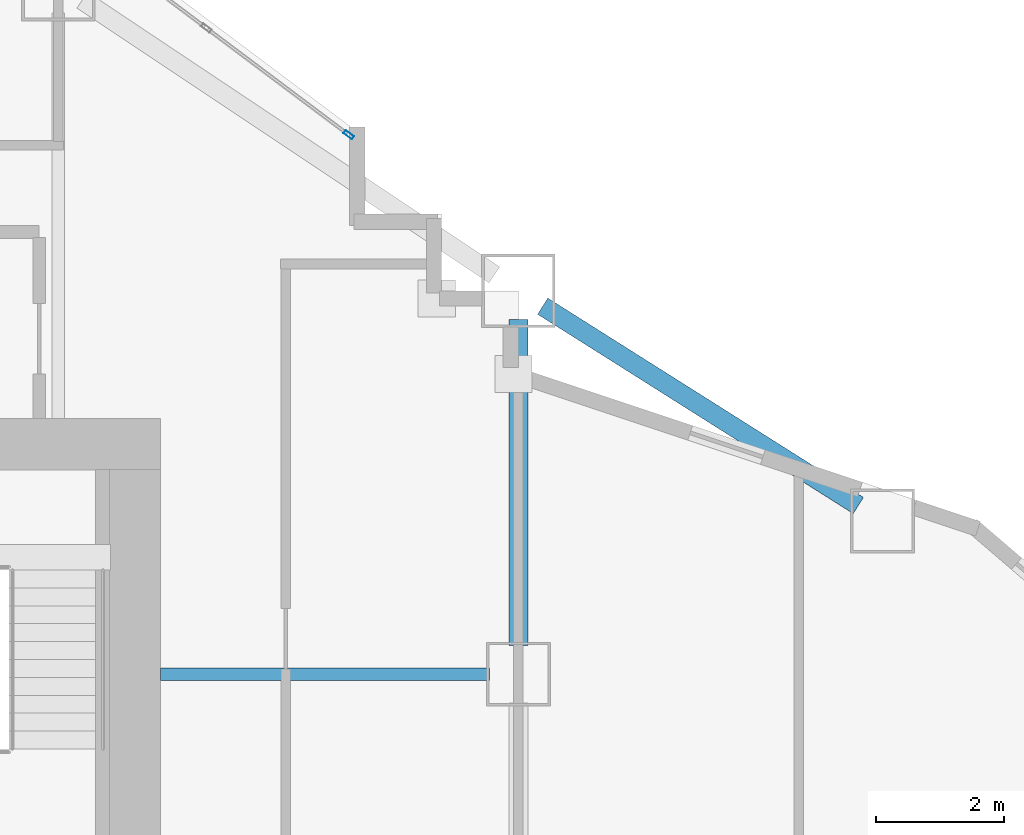
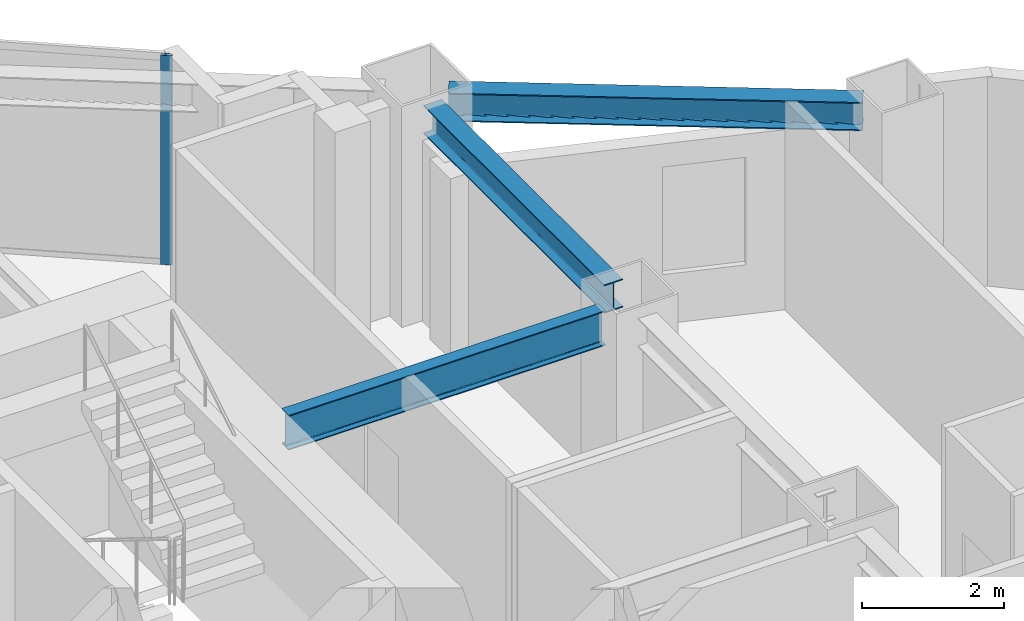
# One storey, part 5 of 16: 3 beams, 1 member, 1 element without a shape of its own.
"""IFC4 building model written with IfcOpenShell, lengths in metres."""

from ifc_helpers import new_model, si_unit, direction, frame, origin, origin_2d, place, context, subcontext, project, spatial, hollow_rectangle, i_section, extrude, material, layer, layer_set, material_profile, profile_set, type_object, element, aggregate, save


model = new_model("IFC4")

# Units and contexts
model_context = context("Model", 3, precision=1e-05, world=origin(), true_north=direction((0.0, 1.0)))
body_context = subcontext(model_context, "Body", "Model", "MODEL_VIEW")
ifc_project = project(units=[si_unit("LENGTHUNIT", "METRE"), si_unit("AREAUNIT", "SQUARE_METRE"), si_unit("VOLUMEUNIT", "CUBIC_METRE"), si_unit("PLANEANGLEUNIT", "RADIAN"), si_unit("MASSUNIT", "GRAM", prefix="KILO")], contexts=[model_context])

# Site, building, storey
site_placement = place(None, origin())
site = spatial("IfcSite", under=ifc_project, at=site_placement, CompositionType="ELEMENT")
building_placement = place(site_placement, origin())
building = spatial("IfcBuilding", under=site, at=building_placement, Name="Haolan Belvedere Tower", CompositionType="ELEMENT")
storey_placement = place(building_placement, frame((0.0, 0.0, 62.800048828125)))
storey = spatial("IfcBuildingStorey", under=building, at=storey_placement, Name="L15", CompositionType="ELEMENT", Elevation=62.800048828125)

# Beams
ifc_material_1 = material(Name="Steel Q355B", Category="steel")
ifc_material_profile_1 = material_profile(ifc_material_1, i_section(OverallWidth=0.300048828125, OverallDepth=0.488037109375, WebThickness=0.010986328125, FlangeThickness=0.01806640625, FilletRadius=0.02587890625, at=origin_2d()), Name="Steel Q355B")
ifc_profile_set_1 = profile_set([ifc_material_profile_1], Name="Steel Q355B")
beam_type_1 = type_object("IfcBeamType", Name="BM-HM488x300x11x18", PredefinedType="SPANDREL", material=ifc_profile_set_1)
beam_1_placement = place(storey_placement, frame((52.800048828125, 40.050048828125, 3.35595703125), z_axis=(0.0, 1.0, 0.0), x_axis=(-1.0, 0.0, 0.0)))
element("IfcBeam", 1, at=beam_1_placement, inside=storey, type_object=beam_type_1, Name="L15 spandrel girder TC-T3-E2-MC-T3-NE", PredefinedType="SPANDREL", context=body_context, shape_type="SweptSolid", body=[
    extrude(i_section(OverallWidth=0.300048828125, OverallDepth=0.488037109375, WebThickness=0.010986328125, FlangeThickness=0.01806640625, FilletRadius=0.02587890625, at=origin_2d()), origin(), (0.0, 0.0, 1.0), 5.099853515625),
])
beam_2_placement = place(storey_placement, frame((53.180419921875, 45.359619140625, 3.35595703125), z_axis=(0.845497840649, -0.533978839898, 0.0), x_axis=(0.533978839898, 0.845497840649, 0.0)))
element("IfcBeam", 2, at=beam_2_placement, inside=storey, type_object=beam_type_1, Name="L15 spandrel girder MC-T3-NE-TC-T4-N1", PredefinedType="SPANDREL", context=body_context, shape_type="SweptSolid", body=[
    extrude(i_section(OverallWidth=0.300048828125, OverallDepth=0.488037109375, WebThickness=0.010986328125, FlangeThickness=0.01806640625, FilletRadius=0.02587890625, at=origin_2d()), origin(), (0.0, 0.0, 1.0), 5.841796875),
])
ifc_material_profile_2 = material_profile(ifc_material_1, i_section(OverallWidth=0.199951171875, OverallDepth=0.60009765625, WebThickness=0.010986328125, FlangeThickness=0.01708984375, FilletRadius=0.02197265625, at=origin_2d()), Name="Steel Q355B")
ifc_profile_set_2 = profile_set([ifc_material_profile_2], Name="Steel Q355B")
beam_type_2 = type_object("IfcBeamType", Name="BM-HN600x200x11x17", PredefinedType="BEAM", material=ifc_profile_set_2)
beam_3_placement = place(storey_placement, frame((52.35009765625, 39.60009765625, 3.300048828125), z_axis=(-1.0, 0.0, 0.0), x_axis=(0.0, -1.0, 0.0)))
element("IfcBeam", 3, at=beam_3_placement, inside=storey, type_object=beam_type_2, Name="L15 core tie beam from TC-T3-E2", PredefinedType="BEAM", context=body_context, shape_type="SweptSolid", body=[
    extrude(i_section(OverallWidth=0.199951171875, OverallDepth=0.60009765625, WebThickness=0.010986328125, FlangeThickness=0.01708984375, FilletRadius=0.02197265625, at=origin_2d()), origin(), (0.0, 0.0, 1.0), 5.150146484375),
])

# Curtain wall, member
ifc_material_2 = material(Name="Anodised champagne-silver aluminium 6063-T6 and Low-E glass", Category="aluminium")
ifc_layer = layer(ifc_material_2, 0.1650390625, Name="Anodised champagne-silver aluminium 6063-T6 and Low-E glass")
ifc_layer_set = layer_set([ifc_layer], Name="Anodised champagne-silver aluminium 6063-T6 and Low-E glass")
curtain_wall_type = type_object("IfcCurtainWallType", Name="CW-SYS-02", PredefinedType="NOTDEFINED", material=ifc_layer_set)
curtain_wall_placement = place(storey_placement, origin())
curtain_wall = element("IfcCurtainWall", 4, at=curtain_wall_placement, inside=storey, type_object=curtain_wall_type, Name="L15 CW-SYS-02 ribbon curtain wall 41.1", PredefinedType="NOTDEFINED")
ifc_material_3 = material(Name="Anodised aluminium 6063-T6", Category="aluminium")
ifc_material_profile_3 = material_profile(ifc_material_3, hollow_rectangle(XDim=0.06005859375, YDim=0.1650390625, WallThickness=0.00390625, at=origin_2d()), Name="Anodised aluminium 6063-T6")
ifc_profile_set_3 = profile_set([ifc_material_profile_3], Name="Anodised aluminium 6063-T6")
member_type = type_object("IfcMemberType", Name="CW-SYS-02-MUL", PredefinedType="MULLION", material=ifc_profile_set_3)
member_placement = place(storey_placement, frame((50.14404296875, 48.0419921875, 0.0), z_axis=(0.0, 0.0, 1.0), x_axis=(-0.599994316874, -0.800004262313, 0.0)))
member = element("IfcMember", 5, at=member_placement, type_object=member_type, Name="CW-02 mullion 1", PredefinedType="MULLION", context=body_context, shape_type="SweptSolid", body=[
    extrude(hollow_rectangle(XDim=0.06005859375, YDim=0.1650390625, WallThickness=0.00390625, at=origin_2d()), origin(), (0.0, 0.0, 1.0), 3.599853515625),
])
aggregate(curtain_wall, [member])

save(model, "model.ifc")
